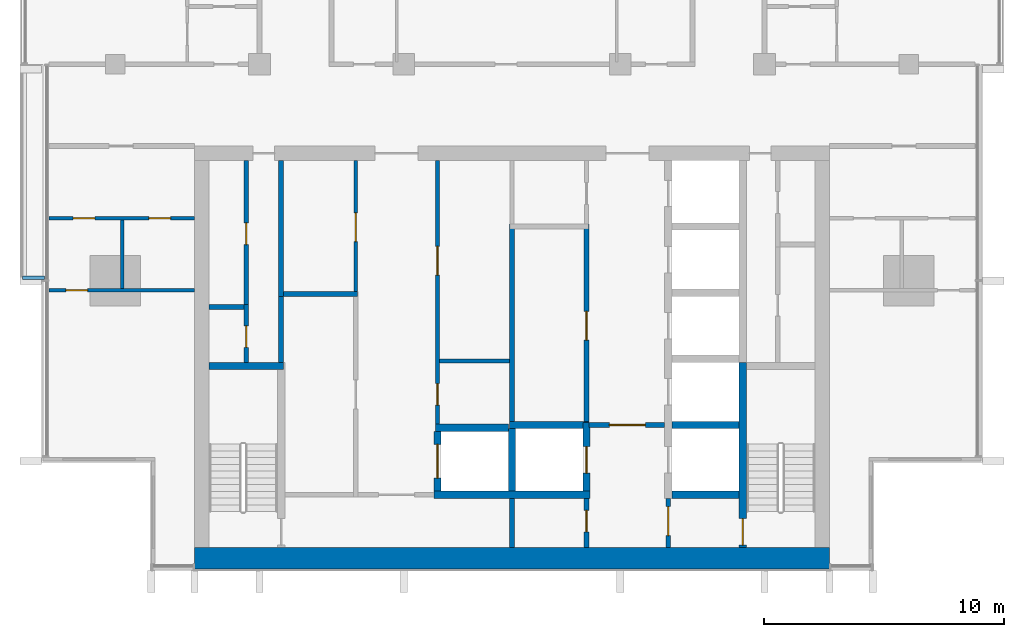
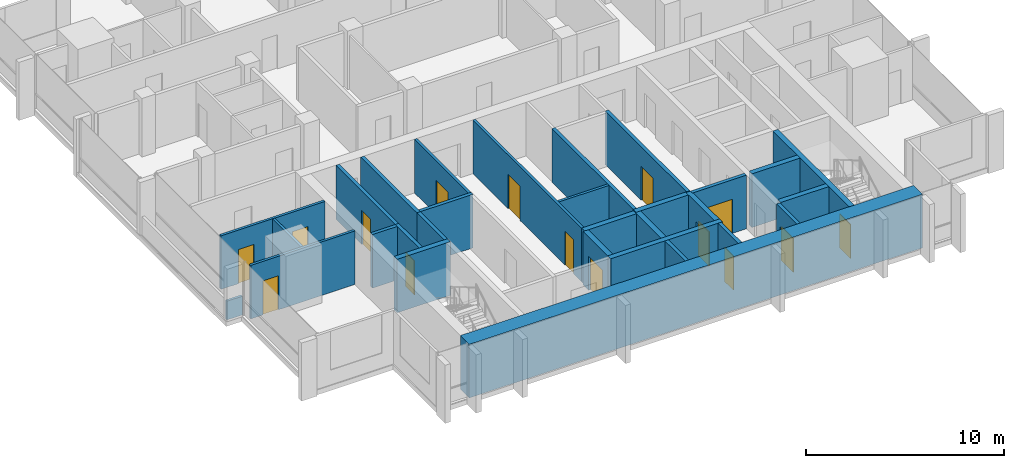
# One storey, part 7 of 16: 30 walls, 15 doors, 15 openings.
"""IFC4 building model written with IfcOpenShell, lengths in metres."""

from ifc_helpers import new_model, si_unit, direction, frame, frame_2d, origin, place, context, subcontext, project, spatial, rectangle, extrude, material, layer, layer_set, type_object, element, fill, save


model = new_model("IFC4")

# Units and contexts
model_context = context("Model", 3, precision=1e-05, world=origin(), true_north=direction((0.0, 1.0)))
body_context = subcontext(model_context, "Body", "Model", "MODEL_VIEW")
ifc_project = project(units=[si_unit("LENGTHUNIT", "METRE"), si_unit("AREAUNIT", "SQUARE_METRE"), si_unit("VOLUMEUNIT", "CUBIC_METRE"), si_unit("PLANEANGLEUNIT", "RADIAN"), si_unit("MASSUNIT", "GRAM", prefix="KILO")], contexts=[model_context])

# Site, building, storey
site_placement = place(None, origin())
site = spatial("IfcSite", under=ifc_project, at=site_placement, CompositionType="ELEMENT")
building_placement = place(site_placement, origin())
building = spatial("IfcBuilding", under=site, at=building_placement, Name="Finial Court Residences", CompositionType="ELEMENT")
storey_placement = place(building_placement, frame((0.0, 0.0, 212.300048828125)))
storey = spatial("IfcBuildingStorey", under=building, at=storey_placement, Name="L53", CompositionType="ELEMENT", Elevation=212.300048828125)

# Wall
ifc_material_1 = material(Name="Fire-rated gypsum board partition")
ifc_layer_1 = layer(ifc_material_1, 0.14990234375)
ifc_layer_set_1 = layer_set([ifc_layer_1], Name="Core room partition 150 EI 60")
wall_type_1 = type_object("IfcWallType", Name="Core room partition 150 EI 60", PredefinedType="PARTITIONING", material=ifc_layer_set_1)
wall_1_placement = place(storey_placement, frame((-3.02490234375, -16.840087890625, 0.0), z_axis=(0.0, 0.0, 1.0), x_axis=(1.0, 0.0, 0.0)))
element("IfcWall", 1, at=wall_1_placement, inside=storey, type_object=wall_type_1, Name="Core partition L53-11", PredefinedType="PARTITIONING", context=body_context, shape_type="SweptSolid", body=[
    extrude(rectangle(XDim=2.9248046875, YDim=0.14990234375, at=frame_2d((1.46240234375, 0.0))), origin(), (0.0, 0.0, 1.0), 3.300048828125),
])

# Wall, opening, door
wall_2_placement = place(storey_placement, frame((-6.5, -13.9599609375, 0.0), z_axis=(0.0, 0.0, 1.0), x_axis=(0.0, 1.0, 0.0)))
wall_2 = element("IfcWall", 2, at=wall_2_placement, inside=storey, type_object=wall_type_1, Name="Core partition L53-25", PredefinedType="PARTITIONING", context=body_context, shape_type="SweptSolid", body=[
    extrude(rectangle(XDim=5.4599609375, YDim=0.14990234375, at=frame_2d((2.72998046875, 0.0))), origin(), (0.0, 0.0, 1.0), 3.300048828125),
])
opening_1_placement = place(wall_2_placement, frame((2.080078125, 0.0, 0.0)))
opening_1 = element("IfcOpeningElement", 3, at=opening_1_placement, cuts=wall_2, Name="Opening L53-C15", PredefinedType="OPENING", context=body_context, shape_type="SweptSolid", body=[
    extrude(rectangle(XDim=1.199951171875, YDim=2.10009765625, at=frame_2d((0.60009765625, 1.050048828125))), frame((0.0, 0.0849609375, 0.0), z_axis=(0.0, -1.0, 0.0), x_axis=(1.0, 0.0, 0.0)), (0.0, 0.0, 1.0), 0.169921875),
])
ifc_material_2 = material(Name="Steel fire door", Category="steel")
door_type_1 = type_object("IfcDoorType", Name="Core room door 1200 x 2100 EI 60", OperationType="NOTDEFINED", PredefinedType="DOOR", material=ifc_material_2)
door_1_placement = place(opening_1_placement, origin())
door_1 = element("IfcDoor", 4, at=door_1_placement, inside=storey, type_object=door_type_1, Name="Core room door L53-C15", OperationType="SINGLE_SWING_RIGHT", OverallHeight=2.10009765625, OverallWidth=1.199951171875, PredefinedType="DOOR", context=body_context, shape_type="SweptSolid", body=[
    extrude(rectangle(XDim=1.199951171875, YDim=2.10009765625, at=frame_2d((0.60009765625, 1.050048828125))), frame((0.0, 0.02490234375, 0.0), z_axis=(0.0, -1.0, 0.0), x_axis=(1.0, 0.0, 0.0)), (0.0, 0.0, 1.0), 0.050048828125),
])
fill(opening_1, door_1)

# Wall, openings, doors
wall_3_placement = place(storey_placement, frame((-3.10009765625, -8.5, 0.0), z_axis=(0.0, 0.0, 1.0), x_axis=(0.0, -1.0, 0.0)))
wall_3 = element("IfcWall", 5, at=wall_3_placement, inside=storey, type_object=wall_type_1, Name="Core partition L53-27", PredefinedType="PARTITIONING", context=body_context, shape_type="SweptSolid", body=[
    extrude(rectangle(XDim=10.969970703125, YDim=0.14990234375, at=frame_2d((5.48486328125, 0.0))), origin(), (0.0, 0.0, 1.0), 3.300048828125),
])
opening_2_placement = place(wall_3_placement, frame((9.280029296875, 0.0, 0.0)))
opening_2 = element("IfcOpeningElement", 6, at=opening_2_placement, cuts=wall_3, Name="Opening L53-C16", PredefinedType="OPENING", context=body_context, shape_type="SweptSolid", body=[
    extrude(rectangle(XDim=0.89990234375, YDim=2.10009765625, at=frame_2d((0.449951171875, 1.050048828125))), frame((0.0, 0.0849609375, 0.0), z_axis=(0.0, -1.0, 0.0), x_axis=(1.0, 0.0, 0.0)), (0.0, 0.0, 1.0), 0.169921875),
])
opening_3_placement = place(wall_3_placement, frame((3.570068359375, 0.0, 0.0)))
opening_3 = element("IfcOpeningElement", 7, at=opening_3_placement, cuts=wall_3, Name="Opening L53-C17", PredefinedType="OPENING", context=body_context, shape_type="SweptSolid", body=[
    extrude(rectangle(XDim=1.199951171875, YDim=2.10009765625, at=frame_2d((0.60009765625, 1.050048828125))), frame((0.0, 0.0849609375, 0.0), z_axis=(0.0, -1.0, 0.0), x_axis=(1.0, 0.0, 0.0)), (0.0, 0.0, 1.0), 0.169921875),
])
door_2_placement = place(opening_3_placement, origin())
door_2 = element("IfcDoor", 8, at=door_2_placement, inside=storey, type_object=door_type_1, Name="Core room door L53-C17", OperationType="SINGLE_SWING_RIGHT", OverallHeight=2.10009765625, OverallWidth=1.199951171875, PredefinedType="DOOR", context=body_context, shape_type="SweptSolid", body=[
    extrude(rectangle(XDim=1.199951171875, YDim=2.10009765625, at=frame_2d((0.60009765625, 1.050048828125))), frame((0.0, 0.02490234375, 0.0), z_axis=(0.0, -1.0, 0.0), x_axis=(1.0, 0.0, 0.0)), (0.0, 0.0, 1.0), 0.050048828125),
])
fill(opening_3, door_2)
door_type_2 = type_object("IfcDoorType", Name="Core room door 900 x 2100 EI 60", OperationType="NOTDEFINED", PredefinedType="DOOR", material=ifc_material_2)
door_3_placement = place(opening_2_placement, origin())
door_3 = element("IfcDoor", 9, at=door_3_placement, inside=storey, type_object=door_type_2, Name="Core room door L53-C16", OperationType="SINGLE_SWING_RIGHT", OverallHeight=2.10009765625, OverallWidth=0.89990234375, PredefinedType="DOOR", context=body_context, shape_type="SweptSolid", body=[
    extrude(rectangle(XDim=0.89990234375, YDim=2.10009765625, at=frame_2d((0.449951171875, 1.050048828125))), frame((0.0, 0.02490234375, 0.0), z_axis=(0.0, -1.0, 0.0), x_axis=(1.0, 0.0, 0.0)), (0.0, 0.0, 1.0), 0.050048828125),
])
fill(opening_2, door_3)

# Wall
ifc_material_3 = material(Name="Concrete C60/75", Category="concrete")
ifc_layer_2 = layer(ifc_material_3, 0.89990234375)
ifc_layer_set_2 = layer_set([ifc_layer_2], Name="Core south facade wall 900 Concrete C60/75")
wall_type_2 = type_object("IfcWallType", Name="Core south facade wall 900 Concrete C60/75", PredefinedType="SHEAR", material=ifc_layer_set_2)
wall_4_placement = place(storey_placement, frame((-13.199951171875, -25.050048828125, 0.0), z_axis=(0.0, 0.0, 1.0), x_axis=(1.0, 0.0, 0.0)))
element("IfcWall", 10, at=wall_4_placement, inside=storey, type_object=wall_type_2, Name="Core outer wall L53-01", PredefinedType="SHEAR", context=body_context, shape_type="SweptSolid", body=[
    extrude(rectangle(XDim=26.39990234375, YDim=0.89990234375, at=frame_2d((13.199951171875, 0.0))), origin(), (0.0, 0.0, 1.0), 3.300048828125),
])

# Wall, opening, door
ifc_layer_3 = layer(ifc_material_1, 0.199951171875)
ifc_layer_set_3 = layer_set([ifc_layer_3], Name="Firefighting lobby wall 200 EI 120")
wall_type_3 = type_object("IfcWallType", Name="Firefighting lobby wall 200 EI 120", PredefinedType="PARTITIONING", material=ifc_layer_set_3)
wall_5_placement = place(storey_placement, frame((6.35009765625, -19.5, 0.0), z_axis=(0.0, 0.0, 1.0), x_axis=(-1.0, 0.0, 0.0)))
wall_5 = element("IfcWall", 11, at=wall_5_placement, inside=storey, type_object=wall_type_3, Name="Core partition L53-07", PredefinedType="PARTITIONING", context=body_context, shape_type="SweptSolid", body=[
    extrude(rectangle(XDim=3.150146484375, YDim=0.199951171875, at=frame_2d((1.5751953125, 0.0))), origin(), (0.0, 0.0, 1.0), 3.300048828125),
])
opening_4_placement = place(wall_5_placement, frame((0.800048828125, 0.0, 0.0)))
opening_4 = element("IfcOpeningElement", 12, at=opening_4_placement, cuts=wall_5, Name="Opening L53-C02", PredefinedType="OPENING", context=body_context, shape_type="SweptSolid", body=[
    extrude(rectangle(XDim=1.5, YDim=2.10009765625, at=frame_2d((0.75, 1.050048828125))), frame((0.0, 0.10986328125, 0.0), z_axis=(0.0, -1.0, 0.0), x_axis=(1.0, 0.0, 0.0)), (0.0, 0.0, 1.0), 0.219970703125),
])
door_type_3 = type_object("IfcDoorType", Name="Firefighting lobby door 1500 x 2100 EI 90", OperationType="DOUBLE_DOOR_SINGLE_SWING", PredefinedType="DOOR", material=ifc_material_2)
door_4_placement = place(opening_4_placement, origin())
door_4 = element("IfcDoor", 13, at=door_4_placement, inside=storey, type_object=door_type_3, Name="Firefighting lobby door L53-C02", OperationType="DOUBLE_DOOR_SINGLE_SWING", OverallHeight=2.10009765625, OverallWidth=1.5, PredefinedType="DOOR", context=body_context, shape_type="SweptSolid", body=[
    extrude(rectangle(XDim=1.5, YDim=2.10009765625, at=frame_2d((0.75, 1.050048828125))), frame((0.0, 0.02490234375, 0.0), z_axis=(0.0, -1.0, 0.0), x_axis=(1.0, 0.0, 0.0)), (0.0, 0.0, 1.0), 0.050048828125),
])
fill(opening_4, door_4)

wall_6_placement = place(storey_placement, frame((3.10009765625, -24.60009765625, 0.0), z_axis=(0.0, 0.0, 1.0), x_axis=(0.0, 1.0, 0.0)))
wall_6 = element("IfcWall", 14, at=wall_6_placement, inside=storey, type_object=wall_type_3, Name="Core partition L53-32", PredefinedType="PARTITIONING", context=body_context, shape_type="SweptSolid", body=[
    extrude(rectangle(XDim=2.050048828125, YDim=0.199951171875, at=frame_2d((1.02490234375, 0.0))), origin(), (0.0, 0.0, 1.0), 3.300048828125),
])
opening_5_placement = place(wall_6_placement, frame((0.64990234375, 0.0, 0.0)))
opening_5 = element("IfcOpeningElement", 15, at=opening_5_placement, cuts=wall_6, Name="Opening L53-C06", PredefinedType="OPENING", context=body_context, shape_type="SweptSolid", body=[
    extrude(rectangle(XDim=0.89990234375, YDim=2.10009765625, at=frame_2d((0.449951171875, 1.050048828125))), frame((0.0, 0.10986328125, 0.0), z_axis=(0.0, -1.0, 0.0), x_axis=(1.0, 0.0, 0.0)), (0.0, 0.0, 1.0), 0.219970703125),
])
door_type_4 = type_object("IfcDoorType", Name="Riser room door 900 x 2100 EI 90", OperationType="NOTDEFINED", PredefinedType="DOOR", material=ifc_material_2)
door_5_placement = place(opening_5_placement, origin())
door_5 = element("IfcDoor", 16, at=door_5_placement, inside=storey, type_object=door_type_4, Name="Riser room door L53-C06", OperationType="SINGLE_SWING_LEFT", OverallHeight=2.10009765625, OverallWidth=0.89990234375, PredefinedType="DOOR", context=body_context, shape_type="SweptSolid", body=[
    extrude(rectangle(XDim=0.89990234375, YDim=2.10009765625, at=frame_2d((0.449951171875, 1.050048828125))), frame((0.0, 0.02490234375, 0.0), z_axis=(0.0, -1.0, 0.0), x_axis=(1.0, 0.0, 0.0)), (0.0, 0.0, 1.0), 0.050048828125),
])
fill(opening_5, door_5)

wall_7_placement = place(storey_placement, frame((6.5, -22.550048828125, 0.0), z_axis=(0.0, 0.0, 1.0), x_axis=(0.0, -1.0, 0.0)))
wall_7 = element("IfcWall", 17, at=wall_7_placement, inside=storey, type_object=wall_type_3, Name="Core partition L53-36", PredefinedType="PARTITIONING", context=body_context, shape_type="SweptSolid", body=[
    extrude(rectangle(XDim=2.050048828125, YDim=0.199951171875, at=frame_2d((1.02490234375, 0.0))), origin(), (0.0, 0.0, 1.0), 3.300048828125),
])
opening_6_placement = place(wall_7_placement, frame((0.35009765625, 0.0, 0.0)))
opening_6 = element("IfcOpeningElement", 18, at=opening_6_placement, cuts=wall_7, Name="Opening L53-C01", PredefinedType="OPENING", context=body_context, shape_type="SweptSolid", body=[
    extrude(rectangle(XDim=1.199951171875, YDim=2.10009765625, at=frame_2d((0.60009765625, 1.050048828125))), frame((0.0, 0.10986328125, 0.0), z_axis=(0.0, -1.0, 0.0), x_axis=(1.0, 0.0, 0.0)), (0.0, 0.0, 1.0), 0.219970703125),
])
door_type_5 = type_object("IfcDoorType", Name="Firefighting lobby door 1200 x 2100 EI 90", OperationType="NOTDEFINED", PredefinedType="DOOR", material=ifc_material_2)
door_6_placement = place(opening_6_placement, origin())
door_6 = element("IfcDoor", 19, at=door_6_placement, inside=storey, type_object=door_type_5, Name="Firefighting lobby door L53-C01", OperationType="SINGLE_SWING_RIGHT", OverallHeight=2.10009765625, OverallWidth=1.199951171875, PredefinedType="DOOR", context=body_context, shape_type="SweptSolid", body=[
    extrude(rectangle(XDim=1.199951171875, YDim=2.10009765625, at=frame_2d((0.60009765625, 1.050048828125))), frame((0.0, 0.02490234375, 0.0), z_axis=(0.0, -1.0, 0.0), x_axis=(1.0, 0.0, 0.0)), (0.0, 0.0, 1.0), 0.050048828125),
])
fill(opening_6, door_6)

ifc_material_4 = material(Name="Moisture-resistant gypsum board")
ifc_layer_4 = layer(ifc_material_4, 0.012451171875)
ifc_material_5 = material(Name="Mineral wool in light-gauge frame")
ifc_layer_5 = layer(ifc_material_5, 0.125)
ifc_layer_6 = layer(ifc_material_4, 0.012451171875)
ifc_layer_set_4 = layer_set([ifc_layer_4, ifc_layer_5, ifc_layer_6], Name="Gypsum board wet-area partition 150")
wall_type_4 = type_object("IfcWallType", Name="Gypsum board wet-area partition 150", PredefinedType="PARTITIONING", material=ifc_layer_set_4)
wall_8_placement = place(storey_placement, frame((-19.262451171875, -13.89990234375, 0.0), z_axis=(0.0, 0.0, 1.0), x_axis=(1.0, 0.0, 0.0)))
wall_8 = element("IfcWall", 20, at=wall_8_placement, inside=storey, type_object=wall_type_4, Name="Partition L53-000", PredefinedType="PARTITIONING", context=body_context, shape_type="SweptSolid", body=[
    extrude(rectangle(XDim=6.0625, YDim=0.14990234375, at=frame_2d((3.03125, 0.0))), origin(), (0.0, 0.0, 1.0), 3.300048828125),
])
opening_7_placement = place(wall_8_placement, frame((0.7119140625, 0.0, 0.0)))
opening_7 = element("IfcOpeningElement", 21, at=opening_7_placement, cuts=wall_8, Name="Opening L53-D001", PredefinedType="OPENING", context=body_context, shape_type="SweptSolid", body=[
    extrude(rectangle(XDim=0.89990234375, YDim=2.10009765625, at=frame_2d((0.449951171875, 1.050048828125))), frame((0.0, 0.0849609375, 0.0), z_axis=(0.0, -1.0, 0.0), x_axis=(1.0, 0.0, 0.0)), (0.0, 0.0, 1.0), 0.169921875),
])
ifc_material_6 = material(Name="Timber door leaf in timber frame", Category="wood")
door_type_6 = type_object("IfcDoorType", Name="Door set 900 x 2100", OperationType="SINGLE_SWING_LEFT", PredefinedType="DOOR", material=ifc_material_6)
door_7_placement = place(opening_7_placement, origin())
door_7 = element("IfcDoor", 22, at=door_7_placement, inside=storey, type_object=door_type_6, Name="Door L53-D001", OperationType="SINGLE_SWING_LEFT", OverallHeight=2.10009765625, OverallWidth=0.89990234375, PredefinedType="DOOR", context=body_context, shape_type="SweptSolid", body=[
    extrude(rectangle(XDim=0.89990234375, YDim=2.10009765625, at=frame_2d((0.449951171875, 1.050048828125))), frame((0.0, 0.02490234375, 0.0), z_axis=(0.0, -1.0, 0.0), x_axis=(1.0, 0.0, 0.0)), (0.0, 0.0, 1.0), 0.050048828125),
])
fill(opening_7, door_7)

# Wall, openings, doors
wall_9_placement = place(storey_placement, frame((-19.262451171875, -10.89990234375, 0.0), z_axis=(0.0, 0.0, 1.0), x_axis=(1.0, 0.0, 0.0)))
wall_9 = element("IfcWall", 23, at=wall_9_placement, inside=storey, type_object=wall_type_4, Name="Partition L53-002", PredefinedType="PARTITIONING", context=body_context, shape_type="SweptSolid", body=[
    extrude(rectangle(XDim=6.0625, YDim=0.14990234375, at=frame_2d((3.03125, 0.0))), origin(), (0.0, 0.0, 1.0), 3.300048828125),
])
opening_8_placement = place(wall_9_placement, frame((1.011962890625, 0.0, 0.0)))
opening_8 = element("IfcOpeningElement", 24, at=opening_8_placement, cuts=wall_9, Name="Opening L53-D003", PredefinedType="OPENING", context=body_context, shape_type="SweptSolid", body=[
    extrude(rectangle(XDim=0.89990234375, YDim=2.10009765625, at=frame_2d((0.449951171875, 1.050048828125))), frame((0.0, 0.0849609375, 0.0), z_axis=(0.0, -1.0, 0.0), x_axis=(1.0, 0.0, 0.0)), (0.0, 0.0, 1.0), 0.169921875),
])
opening_9_placement = place(wall_9_placement, frame((4.162109375, 0.0, 0.0)))
opening_9 = element("IfcOpeningElement", 25, at=opening_9_placement, cuts=wall_9, Name="Opening L53-D004", PredefinedType="OPENING", context=body_context, shape_type="SweptSolid", body=[
    extrude(rectangle(XDim=0.89990234375, YDim=2.10009765625, at=frame_2d((0.449951171875, 1.050048828125))), frame((0.0, 0.0849609375, 0.0), z_axis=(0.0, -1.0, 0.0), x_axis=(1.0, 0.0, 0.0)), (0.0, 0.0, 1.0), 0.169921875),
])
door_8_placement = place(opening_8_placement, origin())
door_8 = element("IfcDoor", 26, at=door_8_placement, inside=storey, type_object=door_type_6, Name="Door L53-D003", OperationType="SINGLE_SWING_LEFT", OverallHeight=2.10009765625, OverallWidth=0.89990234375, PredefinedType="DOOR", context=body_context, shape_type="SweptSolid", body=[
    extrude(rectangle(XDim=0.89990234375, YDim=2.10009765625, at=frame_2d((0.449951171875, 1.050048828125))), frame((0.0, 0.02490234375, 0.0), z_axis=(0.0, -1.0, 0.0), x_axis=(1.0, 0.0, 0.0)), (0.0, 0.0, 1.0), 0.050048828125),
])
fill(opening_8, door_8)
door_9_placement = place(opening_9_placement, origin())
door_9 = element("IfcDoor", 27, at=door_9_placement, inside=storey, type_object=door_type_6, Name="Door L53-D004", OperationType="SINGLE_SWING_RIGHT", OverallHeight=2.10009765625, OverallWidth=0.89990234375, PredefinedType="DOOR", context=body_context, shape_type="SweptSolid", body=[
    extrude(rectangle(XDim=0.89990234375, YDim=2.10009765625, at=frame_2d((0.449951171875, 1.050048828125))), frame((0.0, 0.02490234375, 0.0), z_axis=(0.0, -1.0, 0.0), x_axis=(1.0, 0.0, 0.0)), (0.0, 0.0, 1.0), 0.050048828125),
])
fill(opening_9, door_9)

# Walls
wall_10_placement = place(storey_placement, frame((-16.199951171875, -13.824951171875, 0.0), z_axis=(0.0, 0.0, 1.0), x_axis=(0.0, 1.0, 0.0)))
element("IfcWall", 28, at=wall_10_placement, inside=storey, type_object=wall_type_4, Name="Partition L53-026", PredefinedType="PARTITIONING", context=body_context, shape_type="SweptSolid", body=[
    extrude(rectangle(XDim=2.849853515625, YDim=0.14990234375, at=frame_2d((1.4248046875, 0.0))), origin(), (0.0, 0.0, 1.0), 3.300048828125),
])
ifc_material_7 = material(Name="Concrete C35/45", Category="concrete")
ifc_layer_7 = layer(ifc_material_7, 0.14990234375)
ifc_layer_set_5 = layer_set([ifc_layer_7], Name="Ledge parapet, Concrete C35/45 150")
wall_type_5 = type_object("IfcWallType", Name="Ledge parapet, Concrete C35/45 150", PredefinedType="PARAPET", material=ifc_layer_set_5)
wall_11_placement = place(storey_placement, frame((-19.447509765625, -13.375, 0.0), z_axis=(0.0, 0.0, 1.0), x_axis=(-1.0, 0.0, 0.0)))
element("IfcWall", 29, at=wall_11_placement, inside=storey, type_object=wall_type_5, Name="E-L53-LED2-P1", PredefinedType="PARAPET", context=body_context, shape_type="SweptSolid", body=[
    extrude(rectangle(XDim=0.902587890625, YDim=0.14990234375, at=frame_2d((0.451171875, 0.0))), origin(), (0.0, 0.0, 1.0), 1.14990234375),
])
ifc_layer_8 = layer(ifc_material_3, 0.300048828125)
ifc_layer_set_6 = layer_set([ifc_layer_8], Name="Lift shaft and stair wall 300 Concrete C60/75")
wall_type_6 = type_object("IfcWallType", Name="Lift shaft and stair wall 300 Concrete C60/75", PredefinedType="SHEAR", material=ifc_layer_set_6)
wall_12_placement = place(storey_placement, frame((-3.25, -22.39990234375, 0.0), z_axis=(0.0, 0.0, 1.0), x_axis=(1.0, 0.0, 0.0)))
element("IfcWall", 30, at=wall_12_placement, inside=storey, type_object=wall_type_6, Name="Core wall L53-03", PredefinedType="SHEAR", context=body_context, shape_type="SweptSolid", body=[
    extrude(rectangle(XDim=6.5, YDim=0.300048828125, at=frame_2d((3.25, 0.0))), origin(), (0.0, 0.0, 1.0), 3.300048828125),
])
wall_13_placement = place(storey_placement, frame((6.64990234375, -22.39990234375, 0.0), z_axis=(0.0, 0.0, 1.0), x_axis=(1.0, 0.0, 0.0)))
element("IfcWall", 31, at=wall_13_placement, inside=storey, type_object=wall_type_6, Name="Core wall L53-04", PredefinedType="SHEAR", context=body_context, shape_type="SweptSolid", body=[
    extrude(rectangle(XDim=2.800048828125, YDim=0.300048828125, at=frame_2d((1.39990234375, 0.0))), origin(), (0.0, 0.0, 1.0), 3.300048828125),
])
wall_14_placement = place(storey_placement, frame((-3.175048828125, -19.6201171875, 0.0), z_axis=(0.0, 0.0, 1.0), x_axis=(1.0, 0.0, 0.0)))
element("IfcWall", 32, at=wall_14_placement, inside=storey, type_object=wall_type_6, Name="Core wall L53-05", PredefinedType="SHEAR", context=body_context, shape_type="SweptSolid", body=[
    extrude(rectangle(XDim=3.025146484375, YDim=0.300048828125, at=frame_2d((1.5126953125, 0.0))), origin(), (0.0, 0.0, 1.0), 3.300048828125),
])
wall_15_placement = place(storey_placement, frame((-0.10009765625, -19.5, 0.0), z_axis=(0.0, 0.0, 1.0), x_axis=(1.0, 0.0, 0.0)))
element("IfcWall", 33, at=wall_15_placement, inside=storey, type_object=wall_type_6, Name="Core wall L53-06", PredefinedType="SHEAR", context=body_context, shape_type="SweptSolid", body=[
    extrude(rectangle(XDim=3.300048828125, YDim=0.300048828125, at=frame_2d((1.64990234375, 0.0))), origin(), (0.0, 0.0, 1.0), 3.300048828125),
])
wall_16_placement = place(storey_placement, frame((6.64990234375, -19.5, 0.0), z_axis=(0.0, 0.0, 1.0), x_axis=(1.0, 0.0, 0.0)))
element("IfcWall", 34, at=wall_16_placement, inside=storey, type_object=wall_type_6, Name="Core wall L53-08", PredefinedType="SHEAR", context=body_context, shape_type="SweptSolid", body=[
    extrude(rectangle(XDim=2.800048828125, YDim=0.300048828125, at=frame_2d((1.39990234375, 0.0))), origin(), (0.0, 0.0, 1.0), 3.300048828125),
])
wall_17_placement = place(storey_placement, frame((-12.60009765625, -17.050048828125, 0.0), z_axis=(0.0, 0.0, 1.0), x_axis=(1.0, 0.0, 0.0)))
element("IfcWall", 35, at=wall_17_placement, inside=storey, type_object=wall_type_6, Name="Core wall L53-09", PredefinedType="SHEAR", context=body_context, shape_type="SweptSolid", body=[
    extrude(rectangle(XDim=3.10009765625, YDim=0.300048828125, at=frame_2d((1.550048828125, 0.0))), origin(), (0.0, 0.0, 1.0), 3.300048828125),
])

# Wall, opening, door
wall_18_placement = place(storey_placement, frame((-3.10009765625, -22.25, 0.0), z_axis=(0.0, 0.0, 1.0), x_axis=(0.0, 1.0, 0.0)))
wall_18 = element("IfcWall", 36, at=wall_18_placement, inside=storey, type_object=wall_type_6, Name="Core wall L53-26", PredefinedType="SHEAR", context=body_context, shape_type="SweptSolid", body=[
    extrude(rectangle(XDim=2.47998046875, YDim=0.300048828125, at=frame_2d((1.239990234375, 0.0))), origin(), (0.0, 0.0, 1.0), 3.300048828125),
])
opening_10_placement = place(wall_18_placement, frame((0.5400390625, 0.0, 0.0)))
opening_10 = element("IfcOpeningElement", 37, at=opening_10_placement, cuts=wall_18, Name="Opening L53-LD07", PredefinedType="OPENING", context=body_context, shape_type="SweptSolid", body=[
    extrude(rectangle(XDim=1.39990234375, YDim=2.10009765625, at=frame_2d((0.699951171875, 1.050048828125))), frame((0.0, 0.159912109375, 0.0), z_axis=(0.0, -1.0, 0.0), x_axis=(1.0, 0.0, 0.0)), (0.0, 0.0, 1.0), 0.320068359375),
])
ifc_material_8 = material(Name="Stainless steel lift door", Category="steel")
door_type_7 = type_object("IfcDoorType", Name="Lift landing door 1400 x 2100 EI 90", OperationType="DOUBLE_DOOR_SLIDING", PredefinedType="DOOR", material=ifc_material_8)
door_10_placement = place(opening_10_placement, origin())
door_10 = element("IfcDoor", 38, at=door_10_placement, inside=storey, type_object=door_type_7, Name="Lift landing door SV1 L53", OperationType="DOUBLE_DOOR_SLIDING", OverallHeight=2.10009765625, OverallWidth=1.39990234375, PredefinedType="DOOR", context=body_context, shape_type="SweptSolid", body=[
    extrude(rectangle(XDim=1.39990234375, YDim=2.10009765625, at=frame_2d((0.699951171875, 1.050048828125))), frame((0.0, 0.02490234375, 0.0), z_axis=(0.0, -1.0, 0.0), x_axis=(1.0, 0.0, 0.0)), (0.0, 0.0, 1.0), 0.050048828125),
])
fill(opening_10, door_10)

# Wall
wall_19_placement = place(storey_placement, frame((0.0, -22.25, 0.0), z_axis=(0.0, 0.0, 1.0), x_axis=(0.0, 1.0, 0.0)))
element("IfcWall", 39, at=wall_19_placement, inside=storey, type_object=wall_type_6, Name="Core wall L53-29", PredefinedType="SHEAR", context=body_context, shape_type="SweptSolid", body=[
    extrude(rectangle(XDim=2.60009765625, YDim=0.300048828125, at=frame_2d((1.300048828125, 0.0))), origin(), (0.0, 0.0, 1.0), 3.300048828125),
])

# Wall, opening, door
wall_20_placement = place(storey_placement, frame((3.10009765625, -22.25, 0.0), z_axis=(0.0, 0.0, 1.0), x_axis=(0.0, 1.0, 0.0)))
wall_20 = element("IfcWall", 40, at=wall_20_placement, inside=storey, type_object=wall_type_6, Name="Core wall L53-33", PredefinedType="SHEAR", context=body_context, shape_type="SweptSolid", body=[
    extrude(rectangle(XDim=2.85009765625, YDim=0.300048828125, at=frame_2d((1.425048828125, 0.0))), origin(), (0.0, 0.0, 1.0), 3.300048828125),
])
opening_11_placement = place(wall_20_placement, frame((0.75, 0.0, 0.0)))
opening_11 = element("IfcOpeningElement", 41, at=opening_11_placement, cuts=wall_20, Name="Opening L53-LD01", PredefinedType="OPENING", context=body_context, shape_type="SweptSolid", body=[
    extrude(rectangle(XDim=1.10009765625, YDim=2.10009765625, at=frame_2d((0.550048828125, 1.050048828125))), frame((0.0, 0.159912109375, 0.0), z_axis=(0.0, -1.0, 0.0), x_axis=(1.0, 0.0, 0.0)), (0.0, 0.0, 1.0), 0.320068359375),
])
door_type_8 = type_object("IfcDoorType", Name="Lift landing door 1100 x 2100 EI 90", OperationType="DOUBLE_DOOR_SLIDING", PredefinedType="DOOR", material=ifc_material_8)
door_11_placement = place(opening_11_placement, origin())
door_11 = element("IfcDoor", 42, at=door_11_placement, inside=storey, type_object=door_type_8, Name="Lift landing door FF1 L53", OperationType="DOUBLE_DOOR_SLIDING", OverallHeight=2.10009765625, OverallWidth=1.10009765625, PredefinedType="DOOR", context=body_context, shape_type="SweptSolid", body=[
    extrude(rectangle(XDim=1.10009765625, YDim=2.10009765625, at=frame_2d((0.550048828125, 1.050048828125))), frame((0.0, 0.02490234375, 0.0), z_axis=(0.0, -1.0, 0.0), x_axis=(1.0, 0.0, 0.0)), (0.0, 0.0, 1.0), 0.050048828125),
])
fill(opening_11, door_11)

wall_21_placement = place(storey_placement, frame((9.60009765625, -16.89990234375, 0.0), z_axis=(0.0, 0.0, 1.0), x_axis=(0.0, -1.0, 0.0)))
wall_21 = element("IfcWall", 43, at=wall_21_placement, inside=storey, type_object=wall_type_6, Name="Core wall L53-38", PredefinedType="SHEAR", context=body_context, shape_type="SweptSolid", body=[
    extrude(rectangle(XDim=7.7001953125, YDim=0.300048828125, at=frame_2d((3.85009765625, 0.0))), origin(), (0.0, 0.0, 1.0), 3.300048828125),
])
opening_12_placement = place(wall_21_placement, frame((6.5, 0.0, 0.0)))
opening_12 = element("IfcOpeningElement", 44, at=opening_12_placement, cuts=wall_21, Name="Opening L53-C20", PredefinedType="OPENING", context=body_context, shape_type="SweptSolid", body=[
    extrude(rectangle(XDim=1.10009765625, YDim=2.10009765625, at=frame_2d((0.550048828125, 1.050048828125))), frame((0.0, 0.159912109375, 0.0), z_axis=(0.0, -1.0, 0.0), x_axis=(1.0, 0.0, 0.0)), (0.0, 0.0, 1.0), 0.320068359375),
])
door_type_9 = type_object("IfcDoorType", Name="Stair door 1100 x 2100 EI 90", OperationType="NOTDEFINED", PredefinedType="DOOR", material=ifc_material_2)
door_12_placement = place(opening_12_placement, origin())
door_12 = element("IfcDoor", 45, at=door_12_placement, inside=storey, type_object=door_type_9, Name="Stair door L53-C20", OperationType="SINGLE_SWING_RIGHT", OverallHeight=2.10009765625, OverallWidth=1.10009765625, PredefinedType="DOOR", context=body_context, shape_type="SweptSolid", body=[
    extrude(rectangle(XDim=1.10009765625, YDim=2.10009765625, at=frame_2d((0.550048828125, 1.050048828125))), frame((0.0, 0.02490234375, 0.0), z_axis=(0.0, -1.0, 0.0), x_axis=(1.0, 0.0, 0.0)), (0.0, 0.0, 1.0), 0.050048828125),
])
fill(opening_12, door_12)

# Walls
ifc_layer_9 = layer(ifc_material_1, 0.199951171875)
ifc_layer_set_7 = layer_set([ifc_layer_9], Name="Riser room wall 200 EI 120")
wall_type_7 = type_object("IfcWallType", Name="Riser room wall 200 EI 120", PredefinedType="PARTITIONING", material=ifc_layer_set_7)
wall_22_placement = place(storey_placement, frame((-12.60009765625, -14.60009765625, 0.0), z_axis=(0.0, 0.0, 1.0), x_axis=(1.0, 0.0, 0.0)))
element("IfcWall", 46, at=wall_22_placement, inside=storey, type_object=wall_type_7, Name="Core partition L53-13", PredefinedType="PARTITIONING", context=body_context, shape_type="SweptSolid", body=[
    extrude(rectangle(XDim=1.4501953125, YDim=0.199951171875, at=frame_2d((0.72509765625, 0.0))), origin(), (0.0, 0.0, 1.0), 3.300048828125),
])
wall_23_placement = place(storey_placement, frame((-9.5, -14.06005859375, 0.0), z_axis=(0.0, 0.0, 1.0), x_axis=(1.0, 0.0, 0.0)))
element("IfcWall", 47, at=wall_23_placement, inside=storey, type_object=wall_type_7, Name="Core partition L53-14", PredefinedType="PARTITIONING", context=body_context, shape_type="SweptSolid", body=[
    extrude(rectangle(XDim=3.074951171875, YDim=0.199951171875, at=frame_2d((1.53759765625, 0.0))), origin(), (0.0, 0.0, 1.0), 3.300048828125),
])

# Wall, opening, door
wall_24_placement = place(storey_placement, frame((-11.050048828125, -14.699951171875, 0.0), z_axis=(0.0, 0.0, 1.0), x_axis=(0.0, 1.0, 0.0)))
wall_24 = element("IfcWall", 48, at=wall_24_placement, inside=storey, type_object=wall_type_7, Name="Core partition L53-20", PredefinedType="PARTITIONING", context=body_context, shape_type="SweptSolid", body=[
    extrude(rectangle(XDim=6.199951171875, YDim=0.199951171875, at=frame_2d((3.10009765625, 0.0))), origin(), (0.0, 0.0, 1.0), 3.300048828125),
])
opening_13_placement = place(wall_24_placement, frame((2.699951171875, 0.0, 0.0)))
opening_13 = element("IfcOpeningElement", 49, at=opening_13_placement, cuts=wall_24, Name="Opening L53-C07", PredefinedType="OPENING", context=body_context, shape_type="SweptSolid", body=[
    extrude(rectangle(XDim=0.89990234375, YDim=2.10009765625, at=frame_2d((0.449951171875, 1.050048828125))), frame((0.0, 0.10986328125, 0.0), z_axis=(0.0, -1.0, 0.0), x_axis=(1.0, 0.0, 0.0)), (0.0, 0.0, 1.0), 0.219970703125),
])
door_13_placement = place(opening_13_placement, origin())
door_13 = element("IfcDoor", 50, at=door_13_placement, inside=storey, type_object=door_type_4, Name="Riser room door L53-C07", OperationType="SINGLE_SWING_LEFT", OverallHeight=2.10009765625, OverallWidth=0.89990234375, PredefinedType="DOOR", context=body_context, shape_type="SweptSolid", body=[
    extrude(rectangle(XDim=0.89990234375, YDim=2.10009765625, at=frame_2d((0.449951171875, 1.050048828125))), frame((0.0, 0.02490234375, 0.0), z_axis=(0.0, -1.0, 0.0), x_axis=(1.0, 0.0, 0.0)), (0.0, 0.0, 1.0), 0.050048828125),
])
fill(opening_13, door_13)

# Walls
wall_25_placement = place(storey_placement, frame((-9.60009765625, -16.89990234375, 0.0), z_axis=(0.0, 0.0, 1.0), x_axis=(0.0, 1.0, 0.0)))
element("IfcWall", 51, at=wall_25_placement, inside=storey, type_object=wall_type_7, Name="Core partition L53-22", PredefinedType="PARTITIONING", context=body_context, shape_type="SweptSolid", body=[
    extrude(rectangle(XDim=2.739990234375, YDim=0.199951171875, at=frame_2d((1.3701171875, 0.0))), origin(), (0.0, 0.0, 1.0), 3.300048828125),
])
wall_26_placement = place(storey_placement, frame((0.0, -24.60009765625, 0.0), z_axis=(0.0, 0.0, 1.0), x_axis=(0.0, 1.0, 0.0)))
element("IfcWall", 52, at=wall_26_placement, inside=storey, type_object=wall_type_7, Name="Core partition L53-28", PredefinedType="PARTITIONING", context=body_context, shape_type="SweptSolid", body=[
    extrude(rectangle(XDim=2.050048828125, YDim=0.199951171875, at=frame_2d((1.02490234375, 0.0))), origin(), (0.0, 0.0, 1.0), 3.300048828125),
])
wall_27_placement = place(storey_placement, frame((0.0, -19.35009765625, 0.0), z_axis=(0.0, 0.0, 1.0), x_axis=(0.0, 1.0, 0.0)))
element("IfcWall", 53, at=wall_27_placement, inside=storey, type_object=wall_type_7, Name="Core partition L53-30", PredefinedType="PARTITIONING", context=body_context, shape_type="SweptSolid", body=[
    extrude(rectangle(XDim=8.2001953125, YDim=0.199951171875, at=frame_2d((4.10009765625, 0.0))), origin(), (0.0, 0.0, 1.0), 3.300048828125),
])

# Wall, opening, door
wall_28_placement = place(storey_placement, frame((3.10009765625, -19.60009765625, 0.0), z_axis=(0.0, 0.0, 1.0), x_axis=(0.0, 1.0, 0.0)))
wall_28 = element("IfcWall", 54, at=wall_28_placement, inside=storey, type_object=wall_type_7, Name="Core partition L53-34", PredefinedType="PARTITIONING", context=body_context, shape_type="SweptSolid", body=[
    extrude(rectangle(XDim=8.4501953125, YDim=0.199951171875, at=frame_2d((4.22509765625, 0.0))), origin(), (0.0, 0.0, 1.0), 3.300048828125),
])
opening_14_placement = place(wall_28_placement, frame((3.625, 0.0, 0.0)))
opening_14 = element("IfcOpeningElement", 55, at=opening_14_placement, cuts=wall_28, Name="Opening L53-C10", PredefinedType="OPENING", context=body_context, shape_type="SweptSolid", body=[
    extrude(rectangle(XDim=1.199951171875, YDim=2.10009765625, at=frame_2d((0.60009765625, 1.050048828125))), frame((0.0, 0.10986328125, 0.0), z_axis=(0.0, -1.0, 0.0), x_axis=(1.0, 0.0, 0.0)), (0.0, 0.0, 1.0), 0.219970703125),
])
door_type_10 = type_object("IfcDoorType", Name="Riser room door 1200 x 2100 EI 90", OperationType="NOTDEFINED", PredefinedType="DOOR", material=ifc_material_2)
door_14_placement = place(opening_14_placement, origin())
door_14 = element("IfcDoor", 56, at=door_14_placement, inside=storey, type_object=door_type_10, Name="Riser room door L53-C10", OperationType="SINGLE_SWING_LEFT", OverallHeight=2.10009765625, OverallWidth=1.199951171875, PredefinedType="DOOR", context=body_context, shape_type="SweptSolid", body=[
    extrude(rectangle(XDim=1.199951171875, YDim=2.10009765625, at=frame_2d((0.60009765625, 1.050048828125))), frame((0.0, 0.02490234375, 0.0), z_axis=(0.0, -1.0, 0.0), x_axis=(1.0, 0.0, 0.0)), (0.0, 0.0, 1.0), 0.050048828125),
])
fill(opening_14, door_14)

ifc_layer_10 = layer(ifc_material_1, 0.199951171875)
ifc_layer_set_8 = layer_set([ifc_layer_10], Name="Stair passage wall 200 EI 180")
wall_type_8 = type_object("IfcWallType", Name="Stair passage wall 200 EI 180", PredefinedType="PARTITIONING", material=ifc_layer_set_8)
wall_29_placement = place(storey_placement, frame((-11.050048828125, -16.89990234375, 0.0), z_axis=(0.0, 0.0, 1.0), x_axis=(0.0, 1.0, 0.0)))
wall_29 = element("IfcWall", 57, at=wall_29_placement, inside=storey, type_object=wall_type_8, Name="Core partition L53-19", PredefinedType="PARTITIONING", context=body_context, shape_type="SweptSolid", body=[
    extrude(rectangle(XDim=2.39990234375, YDim=0.199951171875, at=frame_2d((1.199951171875, 0.0))), origin(), (0.0, 0.0, 1.0), 3.300048828125),
])
opening_15_placement = place(wall_29_placement, frame((0.625, 0.0, 0.0)))
opening_15 = element("IfcOpeningElement", 58, at=opening_15_placement, cuts=wall_29, Name="Opening L53-C13", PredefinedType="OPENING", context=body_context, shape_type="SweptSolid", body=[
    extrude(rectangle(XDim=0.89990234375, YDim=2.10009765625, at=frame_2d((0.449951171875, 1.050048828125))), frame((0.0, 0.10986328125, 0.0), z_axis=(0.0, -1.0, 0.0), x_axis=(1.0, 0.0, 0.0)), (0.0, 0.0, 1.0), 0.219970703125),
])
door_15_placement = place(opening_15_placement, origin())
door_15 = element("IfcDoor", 59, at=door_15_placement, inside=storey, type_object=door_type_2, Name="Core room door L53-C13", OperationType="SINGLE_SWING_RIGHT", OverallHeight=2.10009765625, OverallWidth=0.89990234375, PredefinedType="DOOR", context=body_context, shape_type="SweptSolid", body=[
    extrude(rectangle(XDim=0.89990234375, YDim=2.10009765625, at=frame_2d((0.449951171875, 1.050048828125))), frame((0.0, 0.02490234375, 0.0), z_axis=(0.0, -1.0, 0.0), x_axis=(1.0, 0.0, 0.0)), (0.0, 0.0, 1.0), 0.050048828125),
])
fill(opening_15, door_15)

# Wall
wall_30_placement = place(storey_placement, frame((-9.60009765625, -14.159912109375, 0.0), z_axis=(0.0, 0.0, 1.0), x_axis=(0.0, 1.0, 0.0)))
element("IfcWall", 60, at=wall_30_placement, inside=storey, type_object=wall_type_8, Name="Core partition L53-23", PredefinedType="PARTITIONING", context=body_context, shape_type="SweptSolid", body=[
    extrude(rectangle(XDim=5.659912109375, YDim=0.199951171875, at=frame_2d((2.830078125, 0.0))), origin(), (0.0, 0.0, 1.0), 3.300048828125),
])

save(model, "model.ifc")
